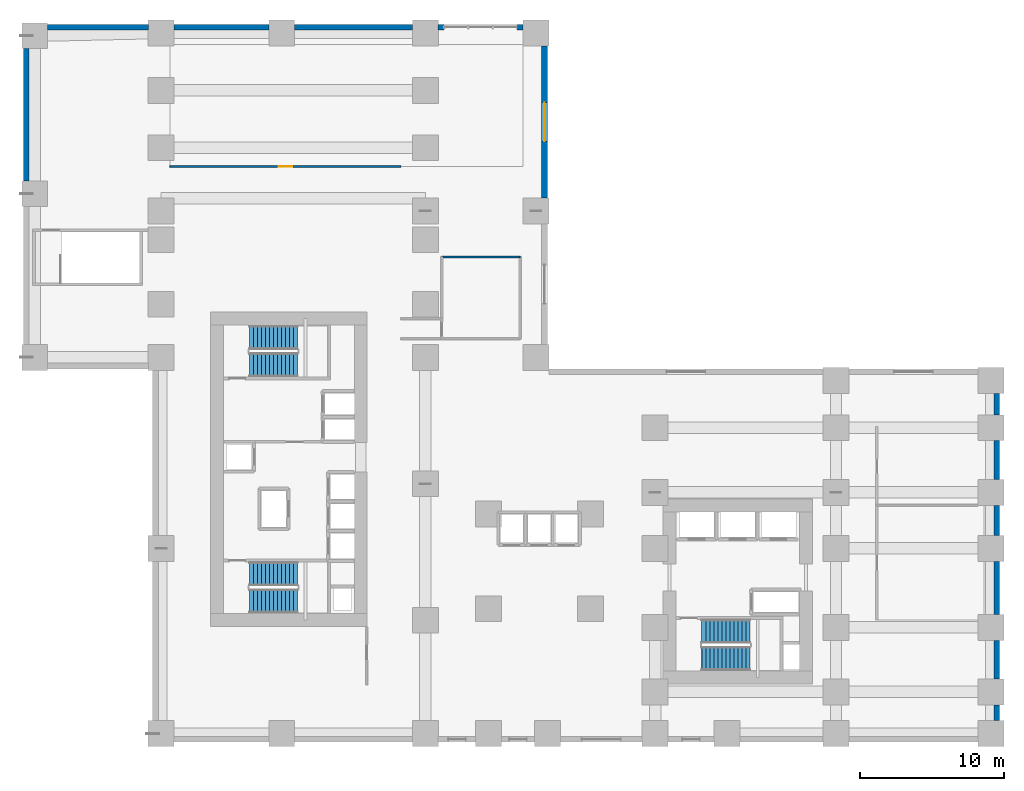
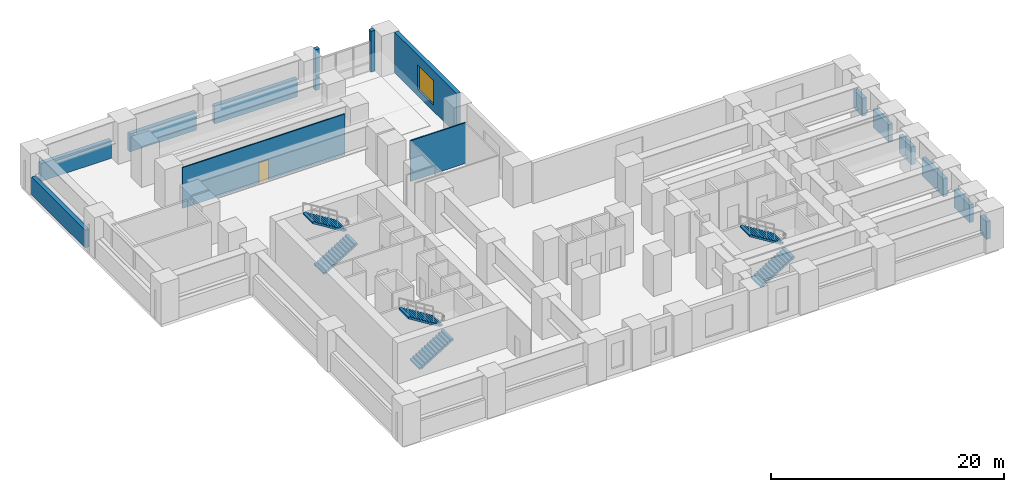
# One storey, part 9 of 12: 15 walls, 6 stair flights, 1 door, 1 window, 2 openings, 3 elements without a shape of their own.
"""IFC4 building model written with IfcOpenShell, lengths in metres."""

from ifc_helpers import new_model, si_unit, direction, frame, frame_2d, origin, place, context, subcontext, project, spatial, polyline, rectangle, outline, extrude, source, transform, mapped, material, layer, layer_set, type_object, element, fill, aggregate, save


model = new_model("IFC4")

# Units and contexts
model_context = context("Model", 3, precision=1e-05, world=origin(), true_north=direction((0.0, 1.0)))
body_context = subcontext(model_context, "Body", "Model", "MODEL_VIEW")
ifc_project = project(units=[si_unit("LENGTHUNIT", "METRE"), si_unit("AREAUNIT", "SQUARE_METRE"), si_unit("VOLUMEUNIT", "CUBIC_METRE"), si_unit("PLANEANGLEUNIT", "RADIAN"), si_unit("MASSUNIT", "GRAM", prefix="KILO")], contexts=[model_context])

# Site, building, storey
site_placement = place(None, origin())
site = spatial("IfcSite", under=ifc_project, at=site_placement, CompositionType="ELEMENT")
building_placement = place(site_placement, origin())
building = spatial("IfcBuilding", under=site, at=building_placement, Name="Kharzan Plaza Tower", CompositionType="ELEMENT")
storey_placement = place(building_placement, frame((0.0, 0.0, 18.0)))
storey = spatial("IfcBuildingStorey", under=building, at=storey_placement, Name="L04", CompositionType="ELEMENT", Elevation=18.0)

# Wall, opening, door
ifc_material_1 = material(Name="Fire-Rated Gypsum Board Partition", Category="gypsum")
ifc_layer_1 = layer(ifc_material_1, 0.125)
ifc_layer_set_1 = layer_set([ifc_layer_1], Name="Fire-Rated Gypsum Board Partition")
wall_type_1 = type_object("IfcWallType", Name="WL-INT-PART-125", PredefinedType="PARTITIONING", material=ifc_layer_set_1)
wall_1_placement = place(storey_placement, frame((1.199951171875, 40.10009765625, 0.0), z_axis=(0.0, 0.0, 1.0), x_axis=(1.0, 0.0, 0.0)))
wall_1 = element("IfcWall", 1, at=wall_1_placement, inside=storey, type_object=wall_type_1, Name="L04 Interior Partition L04-W1", PredefinedType="PARTITIONING", context=body_context, shape_type="SweptSolid", body=[
    extrude(rectangle(XDim=16.10009765625, YDim=0.125, at=frame_2d((8.050048828125, 0.0))), origin(), (0.0, 0.0, 1.0), 4.264892578125),
])
opening_1_placement = place(wall_1_placement, frame((7.574951171875, 0.0, 0.0)))
opening_1 = element("IfcOpeningElement", 2, at=opening_1_placement, cuts=wall_1, Name="Opening OD1", PredefinedType="OPENING", context=body_context, shape_type="SweptSolid", body=[
    extrude(rectangle(XDim=0.949951171875, YDim=2.14990234375, at=frame_2d((0.47509765625, 1.074951171875))), frame((0.0, 0.072509765625, 0.0), z_axis=(0.0, -1.0, 0.0), x_axis=(1.0, 0.0, 0.0)), (0.0, 0.0, 1.0), 0.14501953125),
])
ifc_material_2 = material(Name="Acoustic Solid-Core Stained Oak", Category="timber")
door_type = type_object("IfcDoorType", Name="DR-OFF-SINGLE", OperationType="NOTDEFINED", PredefinedType="DOOR", material=ifc_material_2)
shared_shape_1 = source(origin(), body_context, "Body", "SweptSolid", [
    extrude(rectangle(XDim=0.949951171875, YDim=2.14990234375, at=frame_2d((0.47509765625, 1.074951171875))), frame((0.0, 0.02490234375, 0.0), z_axis=(0.0, -1.0, 0.0), x_axis=(1.0, 0.0, 0.0)), (0.0, 0.0, 1.0), 0.050048828125),
])
door_placement = place(opening_1_placement, origin())
door = element("IfcDoor", 3, at=door_placement, inside=storey, type_object=door_type, Name="L04 Staff Dining Hall Door", OperationType="SINGLE_SWING_LEFT", OverallHeight=2.14990234375, OverallWidth=0.949951171875, PredefinedType="DOOR", context=body_context, shape_type="MappedRepresentation", body=[
    mapped(shared_shape_1, transform((0.0, 0.0, 0.0), x_axis=(1.0, 0.0, 0.0), y_axis=(0.0, 1.0, 0.0), z_axis=(0.0, 0.0, 1.0))),
])
fill(opening_1, door)

# Wall, opening, window
ifc_material_3 = material(Name="Concrete C40/50", Category="concrete")
ifc_layer_2 = layer(ifc_material_3, 0.39990234375)
ifc_layer_set_2 = layer_set([ifc_layer_2], Name="Concrete C40/50")
wall_type_2 = type_object("IfcWallType", Name="WL-POD-MAS-400", PredefinedType="SOLIDWALL", material=ifc_layer_set_2)
wall_2_placement = place(storey_placement, frame((27.300048828125, 37.89794921875, 0.0), z_axis=(0.0, 0.0, 1.0), x_axis=(0.0, 1.0, 0.0)))
wall_2 = element("IfcWall", 4, at=wall_2_placement, inside=storey, type_object=wall_type_2, Name="L04 Masonry-Frame Exterior Wall 04", PredefinedType="SOLIDWALL", context=body_context, shape_type="SweptSolid", body=[
    extrude(rectangle(XDim=10.60400390625, YDim=0.39990234375, at=frame_2d((5.302001953125, 0.0))), origin(), (0.0, 0.0, 1.0), 4.264892578125),
])
opening_2_placement = place(wall_2_placement, frame((3.951904296875, 0.0, 0.64990234375)))
opening_2 = element("IfcOpeningElement", 5, at=opening_2_placement, cuts=wall_2, Name="Opening W4", PredefinedType="OPENING", context=body_context, shape_type="SweptSolid", body=[
    extrude(rectangle(XDim=2.699951171875, YDim=2.60009765625, at=frame_2d((1.35009765625, 1.300048828125))), frame((0.0, 0.2099609375, 0.0), z_axis=(0.0, -1.0, 0.0), x_axis=(1.0, 0.0, 0.0)), (0.0, 0.0, 1.0), 0.419921875),
])
ifc_material_4 = material(Name="Low-E Double Glazing", Category="glass")
window_type = type_object("IfcWindowType", Name="WN-POD-2700x2600", PartitioningType="SINGLE_PANEL", PredefinedType="WINDOW", material=ifc_material_4)
shared_shape_2 = source(origin(), body_context, "Body", "SweptSolid", [
    extrude(rectangle(XDim=2.699951171875, YDim=2.60009765625, at=frame_2d((1.35009765625, 1.300048828125))), frame((0.0, 0.030029296875, 0.0), z_axis=(0.0, -1.0, 0.0), x_axis=(1.0, 0.0, 0.0)), (0.0, 0.0, 1.0), 0.06005859375),
])
window_placement = place(opening_2_placement, origin())
window = element("IfcWindow", 6, at=window_placement, inside=storey, type_object=window_type, Name="L04 Recessed Solar-Control Window 04-1", OverallHeight=2.60009765625, OverallWidth=2.699951171875, PartitioningType="SINGLE_PANEL", PredefinedType="WINDOW", context=body_context, shape_type="MappedRepresentation", body=[
    mapped(shared_shape_2, transform((0.0, 0.0, 0.0), x_axis=(1.0, 0.0, 0.0), y_axis=(0.0, 1.0, 0.0), z_axis=(0.0, 0.0, 1.0))),
])
fill(opening_2, window)

# Walls
shared_shape_3 = source(origin(), body_context, "Body", "SweptSolid", [
    extrude(rectangle(XDim=0.402099609375, YDim=0.39990234375, at=frame_2d((0.201171875, 0.0))), origin(), (0.0, 0.0, 1.0), 4.264892578125),
])
for number, where, z_axis, x_axis, name in (
    (7, (25.802001953125, 49.800048828125, 0.0), (0.0, 0.0, 1.0), (-1.0, 0.0, 0.0), "L04 Masonry-Frame Exterior Wall 05"),
    (8, (20.300048828125, 49.800048828125, 0.0), (0.0, 0.0, 1.0), (-1.0, 0.0, 0.0), "L04 Masonry-Frame Exterior Wall 06"),
):
    element("IfcWall", number, at=place(storey_placement, frame(where, z_axis=z_axis, x_axis=x_axis)), inside=storey, type_object=wall_type_2, Name=name, PredefinedType="SOLIDWALL", context=body_context, shape_type="MappedRepresentation", body=[
        mapped(shared_shape_3, transform((0.0, 0.0, 0.0), x_axis=(1.0, 0.0, 0.0), y_axis=(0.0, 1.0, 0.0), z_axis=(0.0, 0.0, 1.0))),
    ])
shared_shape_4 = source(origin(), body_context, "Body", "SweptSolid", [
    extrude(rectangle(XDim=8.2041015625, YDim=0.39990234375, at=frame_2d((4.10205078125, 0.0))), origin(), (0.0, 0.0, 1.0), 1.864990234375),
])
wall_3_placement = place(storey_placement, frame((18.10205078125, 49.800048828125, 0.0), z_axis=(0.0, 0.0, 1.0), x_axis=(-1.0, 0.0, 0.0)))
element("IfcWall", 9, at=wall_3_placement, inside=storey, type_object=wall_type_2, Name="L04 Masonry-Frame Exterior Wall 07", PredefinedType="SOLIDWALL", context=body_context, shape_type="MappedRepresentation", body=[
    mapped(shared_shape_4, transform((0.0, 0.0, 0.0), x_axis=(1.0, 0.0, 0.0), y_axis=(0.0, 1.0, 0.0), z_axis=(0.0, 0.0, 1.0))),
])
shared_shape_5 = source(origin(), body_context, "Body", "SweptSolid", [
    extrude(rectangle(XDim=6.60400390625, YDim=0.39990234375, at=frame_2d((3.302001953125, 0.0))), origin(), (0.0, 0.0, 1.0), 1.864990234375),
])
wall_4_placement = place(storey_placement, frame((8.10205078125, 49.800048828125, 0.0), z_axis=(0.0, 0.0, 1.0), x_axis=(-1.0, 0.0, 0.0)))
element("IfcWall", 10, at=wall_4_placement, inside=storey, type_object=wall_type_2, Name="L04 Masonry-Frame Exterior Wall 08", PredefinedType="SOLIDWALL", context=body_context, shape_type="MappedRepresentation", body=[
    mapped(shared_shape_5, transform((0.0, 0.0, 0.0), x_axis=(1.0, 0.0, 0.0), y_axis=(0.0, 1.0, 0.0), z_axis=(0.0, 0.0, 1.0))),
])
shared_shape_6 = source(origin(), body_context, "Body", "SweptSolid", [
    extrude(rectangle(XDim=7.00390625, YDim=0.39990234375, at=frame_2d((3.501953125, 0.0))), origin(), (0.0, 0.0, 1.0), 1.864990234375),
])
wall_5_placement = place(storey_placement, frame((-0.298095703125, 49.800048828125, 0.0), z_axis=(0.0, 0.0, 1.0), x_axis=(-1.0, 0.0, 0.0)))
element("IfcWall", 11, at=wall_5_placement, inside=storey, type_object=wall_type_2, Name="L04 Masonry-Frame Exterior Wall 09", PredefinedType="SOLIDWALL", context=body_context, shape_type="MappedRepresentation", body=[
    mapped(shared_shape_6, transform((0.0, 0.0, 0.0), x_axis=(1.0, 0.0, 0.0), y_axis=(0.0, 1.0, 0.0), z_axis=(0.0, 0.0, 1.0))),
])
shared_shape_7 = source(origin(), body_context, "Body", "SweptSolid", [
    extrude(rectangle(XDim=9.2041015625, YDim=0.39990234375, at=frame_2d((4.60205078125, 0.0))), origin(), (0.0, 0.0, 1.0), 1.864990234375),
])
wall_6_placement = place(storey_placement, frame((-8.800048828125, 48.302001953125, 0.0), z_axis=(0.0, 0.0, 1.0), x_axis=(0.0, -1.0, 0.0)))
element("IfcWall", 12, at=wall_6_placement, inside=storey, type_object=wall_type_2, Name="L04 Masonry-Frame Exterior Wall 10", PredefinedType="SOLIDWALL", context=body_context, shape_type="MappedRepresentation", body=[
    mapped(shared_shape_7, transform((0.0, 0.0, 0.0), x_axis=(1.0, 0.0, 0.0), y_axis=(0.0, 1.0, 0.0), z_axis=(0.0, 0.0, 1.0))),
])
shared_shape_8 = source(origin(), body_context, "Body", "SweptSolid", [
    extrude(rectangle(XDim=1.10400390625, YDim=0.39990234375, at=frame_2d((0.552001953125, 0.0))), origin(), (0.0, 0.0, 1.0), 1.864990234375),
])
wall_7_placement = place(storey_placement, frame((58.800048828125, 1.498046875, 0.0), z_axis=(0.0, 0.0, 1.0), x_axis=(0.0, 1.0, 0.0)))
element("IfcWall", 13, at=wall_7_placement, inside=storey, type_object=wall_type_2, Name="L04 Masonry-Frame Exterior Wall 23", PredefinedType="SOLIDWALL", context=body_context, shape_type="MappedRepresentation", body=[
    mapped(shared_shape_8, transform((0.0, 0.0, 0.0), x_axis=(1.0, 0.0, 0.0), y_axis=(0.0, 1.0, 0.0), z_axis=(0.0, 0.0, 1.0))),
])
shared_shape_9 = source(origin(), body_context, "Body", "SweptSolid", [
    extrude(rectangle(XDim=2.7041015625, YDim=0.39990234375, at=frame_2d((1.35205078125, 0.0))), origin(), (0.0, 0.0, 1.0), 1.864990234375),
])
wall_8_placement = place(storey_placement, frame((58.800048828125, 4.39794921875, 0.0), z_axis=(0.0, 0.0, 1.0), x_axis=(0.0, 1.0, 0.0)))
element("IfcWall", 14, at=wall_8_placement, inside=storey, type_object=wall_type_2, Name="L04 Masonry-Frame Exterior Wall 24", PredefinedType="SOLIDWALL", context=body_context, shape_type="MappedRepresentation", body=[
    mapped(shared_shape_9, transform((0.0, 0.0, 0.0), x_axis=(1.0, 0.0, 0.0), y_axis=(0.0, 1.0, 0.0), z_axis=(0.0, 0.0, 1.0))),
])
shared_shape_10 = source(origin(), body_context, "Body", "SweptSolid", [
    extrude(rectangle(XDim=3.7041015625, YDim=0.39990234375, at=frame_2d((1.85205078125, 0.0))), origin(), (0.0, 0.0, 1.0), 1.864990234375),
])
wall_9_placement = place(storey_placement, frame((58.800048828125, 8.89794921875, 0.0), z_axis=(0.0, 0.0, 1.0), x_axis=(0.0, 1.0, 0.0)))
element("IfcWall", 15, at=wall_9_placement, inside=storey, type_object=wall_type_2, Name="L04 Masonry-Frame Exterior Wall 25", PredefinedType="SOLIDWALL", context=body_context, shape_type="MappedRepresentation", body=[
    mapped(shared_shape_10, transform((0.0, 0.0, 0.0), x_axis=(1.0, 0.0, 0.0), y_axis=(0.0, 1.0, 0.0), z_axis=(0.0, 0.0, 1.0))),
])
shared_shape_11 = source(origin(), body_context, "Body", "SweptSolid", [
    extrude(rectangle(XDim=2.10400390625, YDim=0.39990234375, at=frame_2d((1.052001953125, 0.0))), origin(), (0.0, 0.0, 1.0), 1.864990234375),
])
wall_10_placement = place(storey_placement, frame((58.800048828125, 14.39794921875, 0.0), z_axis=(0.0, 0.0, 1.0), x_axis=(0.0, 1.0, 0.0)))
element("IfcWall", 16, at=wall_10_placement, inside=storey, type_object=wall_type_2, Name="L04 Masonry-Frame Exterior Wall 26", PredefinedType="SOLIDWALL", context=body_context, shape_type="MappedRepresentation", body=[
    mapped(shared_shape_11, transform((0.0, 0.0, 0.0), x_axis=(1.0, 0.0, 0.0), y_axis=(0.0, 1.0, 0.0), z_axis=(0.0, 0.0, 1.0))),
])
shared_shape_12 = source(origin(), body_context, "Body", "SweptSolid", [
    extrude(rectangle(XDim=2.703857421875, YDim=0.39990234375, at=frame_2d((1.35205078125, 0.0))), origin(), (0.0, 0.0, 1.0), 1.864990234375),
])
wall_11_placement = place(storey_placement, frame((58.800048828125, 18.298095703125, 0.0), z_axis=(0.0, 0.0, 1.0), x_axis=(0.0, 1.0, 0.0)))
element("IfcWall", 17, at=wall_11_placement, inside=storey, type_object=wall_type_2, Name="L04 Masonry-Frame Exterior Wall 27", PredefinedType="SOLIDWALL", context=body_context, shape_type="MappedRepresentation", body=[
    mapped(shared_shape_12, transform((0.0, 0.0, 0.0), x_axis=(1.0, 0.0, 0.0), y_axis=(0.0, 1.0, 0.0), z_axis=(0.0, 0.0, 1.0))),
])
shared_shape_13 = source(origin(), body_context, "Body", "SweptSolid", [
    extrude(rectangle(XDim=1.50390625, YDim=0.39990234375, at=frame_2d((0.751953125, 0.0))), origin(), (0.0, 0.0, 1.0), 1.864990234375),
])
wall_12_placement = place(storey_placement, frame((58.800048828125, 22.798095703125, 0.0), z_axis=(0.0, 0.0, 1.0), x_axis=(0.0, 1.0, 0.0)))
element("IfcWall", 18, at=wall_12_placement, inside=storey, type_object=wall_type_2, Name="L04 Masonry-Frame Exterior Wall 28", PredefinedType="SOLIDWALL", context=body_context, shape_type="MappedRepresentation", body=[
    mapped(shared_shape_13, transform((0.0, 0.0, 0.0), x_axis=(1.0, 0.0, 0.0), y_axis=(0.0, 1.0, 0.0), z_axis=(0.0, 0.0, 1.0))),
])
shared_shape_14 = source(origin(), body_context, "Body", "SweptSolid", [
    extrude(rectangle(XDim=5.4501953125, YDim=0.125, at=frame_2d((2.72509765625, 0.0))), origin(), (0.0, 0.0, 1.0), 4.264892578125),
])
wall_13_placement = place(storey_placement, frame((20.14990234375, 33.800048828125, 0.0), z_axis=(0.0, 0.0, 1.0), x_axis=(1.0, 0.0, 0.0)))
element("IfcWall", 19, at=wall_13_placement, inside=storey, type_object=wall_type_1, Name="L04 Interior Partition L04-WCPN2", PredefinedType="PARTITIONING", context=body_context, shape_type="MappedRepresentation", body=[
    mapped(shared_shape_14, transform((0.0, 0.0, 0.0), x_axis=(1.0, 0.0, 0.0), y_axis=(0.0, 1.0, 0.0), z_axis=(0.0, 0.0, 1.0))),
])

# Stair, stair flights
stair_type_1 = type_object("IfcStairType", Name="STR-ST-1", PredefinedType="HALF_TURN_STAIR", material=ifc_material_3)
stair_1_placement = place(storey_placement, origin())
stair_1 = element("IfcStair", 20, at=stair_1_placement, inside=storey, type_object=stair_type_1, Name="L04 Protected Exit Stair ST-1", PredefinedType="HALF_TURN_STAIR")
stair_flight_type = type_object("IfcStairFlightType", Name="SFL-1650-R173", PredefinedType="STRAIGHT", material=ifc_material_3)
shared_shape_15 = source(origin(), body_context, "Body", "SweptSolid", [
    extrude(outline(polyline([(-0.0029296875, -0.011962890625), (-0.0029296875, 0.0), (0.0, 0.0), (0.0, 0.173095703125), (0.280029296875, 0.173095703125), (0.280029296875, 0.34619140625), (0.56005859375, 0.34619140625), (0.56005859375, 0.519287109375), (0.840087890625, 0.519287109375), (0.840087890625, 0.6923828125), (1.1201171875, 0.6923828125), (1.1201171875, 0.865478515625), (1.400146484375, 0.865478515625), (1.400146484375, 1.03857421875), (1.68017578125, 1.03857421875), (1.68017578125, 1.211669921875), (1.960205078125, 1.211669921875), (1.960205078125, 1.384765625), (2.240234375, 1.384765625), (2.240234375, 1.557861328125), (2.520263671875, 1.557861328125), (2.520263671875, 1.73095703125), (2.80029296875, 1.73095703125), (2.80029296875, 1.904052734375), (3.080322265625, 1.904052734375), (3.080322265625, 2.0771484375), (3.3603515625, 2.0771484375), (3.3603515625, 2.250244140625), (3.3603515625, 1.90087890625), (0.28515625, 0.0), (0.28515625, -0.011962890625), (-0.0029296875, -0.011962890625)])), frame((0.0, 0.824951171875, 0.0), z_axis=(0.0, -1.0, 0.0), x_axis=(1.0, 0.0, 0.0)), (0.0, 0.0, 1.0), 1.64990234375),
])
stair_flight_1_placement = place(storey_placement, frame((6.75, 9.824951171875, 0.0), z_axis=(0.0, 0.0, 1.0), x_axis=(1.0, 0.0, 0.0)))
stair_flight_1 = element("IfcStairFlight", 21, at=stair_flight_1_placement, type_object=stair_flight_type, Name="ST-1 flight 1", NumberOfRisers=13, NumberOfTreads=12, PredefinedType="STRAIGHT", RiserHeight=0.173076923, TreadLength=0.28, context=body_context, shape_type="MappedRepresentation", body=[
    mapped(shared_shape_15, transform((0.0, 0.0, 0.0), x_axis=(1.0, 0.0, 0.0), y_axis=(0.0, 1.0, 0.0), z_axis=(0.0, 0.0, 1.0))),
])
stair_flight_2_placement = place(storey_placement, frame((10.110107421875, 11.72509765625, 2.25), z_axis=(0.0, 0.0, 1.0), x_axis=(-1.0, 0.0, 0.0)))
stair_flight_2 = element("IfcStairFlight", 22, at=stair_flight_2_placement, type_object=stair_flight_type, Name="ST-1 flight 2", NumberOfRisers=13, NumberOfTreads=12, PredefinedType="STRAIGHT", RiserHeight=0.173076923, TreadLength=0.28, context=body_context, shape_type="MappedRepresentation", body=[
    mapped(shared_shape_15, transform((0.0, 0.0, 0.0), x_axis=(1.0, 0.0, 0.0), y_axis=(0.0, 1.0, 0.0), z_axis=(0.0, 0.0, 1.0))),
])
aggregate(stair_1, [stair_flight_1, stair_flight_2])

stair_type_2 = type_object("IfcStairType", Name="STR-ST-2", PredefinedType="HALF_TURN_STAIR", material=ifc_material_3)
stair_2_placement = place(storey_placement, origin())
stair_2 = element("IfcStair", 23, at=stair_2_placement, inside=storey, type_object=stair_type_2, Name="L04 Protected Exit Stair ST-2", PredefinedType="HALF_TURN_STAIR")
stair_flight_3_placement = place(storey_placement, frame((6.75, 26.27490234375, 0.0), z_axis=(0.0, 0.0, 1.0), x_axis=(1.0, 0.0, 0.0)))
stair_flight_3 = element("IfcStairFlight", 24, at=stair_flight_3_placement, type_object=stair_flight_type, Name="ST-2 flight 1", NumberOfRisers=13, NumberOfTreads=12, PredefinedType="STRAIGHT", RiserHeight=0.173076923, TreadLength=0.28, context=body_context, shape_type="MappedRepresentation", body=[
    mapped(shared_shape_15, transform((0.0, 0.0, 0.0), x_axis=(1.0, 0.0, 0.0), y_axis=(0.0, 1.0, 0.0), z_axis=(0.0, 0.0, 1.0))),
])
stair_flight_4_placement = place(storey_placement, frame((10.110107421875, 28.175048828125, 2.25), z_axis=(0.0, 0.0, 1.0), x_axis=(-1.0, 0.0, 0.0)))
stair_flight_4 = element("IfcStairFlight", 25, at=stair_flight_4_placement, type_object=stair_flight_type, Name="ST-2 flight 2", NumberOfRisers=13, NumberOfTreads=12, PredefinedType="STRAIGHT", RiserHeight=0.173076923, TreadLength=0.28, context=body_context, shape_type="MappedRepresentation", body=[
    mapped(shared_shape_15, transform((0.0, 0.0, 0.0), x_axis=(1.0, 0.0, 0.0), y_axis=(0.0, 1.0, 0.0), z_axis=(0.0, 0.0, 1.0))),
])
aggregate(stair_2, [stair_flight_3, stair_flight_4])

stair_type_3 = type_object("IfcStairType", Name="STR-ST-3", PredefinedType="HALF_TURN_STAIR", material=ifc_material_3)
stair_3_placement = place(storey_placement, origin())
stair_3 = element("IfcStair", 26, at=stair_3_placement, inside=storey, type_object=stair_type_3, Name="L04 Protected Exit Stair ST-3", PredefinedType="HALF_TURN_STAIR")
stair_flight_5_placement = place(storey_placement, frame((38.25, 5.824951171875, 0.0), z_axis=(0.0, 0.0, 1.0), x_axis=(1.0, 0.0, 0.0)))
stair_flight_5 = element("IfcStairFlight", 27, at=stair_flight_5_placement, type_object=stair_flight_type, Name="ST-3 flight 1", NumberOfRisers=13, NumberOfTreads=12, PredefinedType="STRAIGHT", RiserHeight=0.173076923, TreadLength=0.28, context=body_context, shape_type="MappedRepresentation", body=[
    mapped(shared_shape_15, transform((0.0, 0.0, 0.0), x_axis=(1.0, 0.0, 0.0), y_axis=(0.0, 1.0, 0.0), z_axis=(0.0, 0.0, 1.0))),
])
stair_flight_6_placement = place(storey_placement, frame((41.610107421875, 7.72509765625, 2.25), z_axis=(0.0, 0.0, 1.0), x_axis=(-1.0, 0.0, 0.0)))
stair_flight_6 = element("IfcStairFlight", 28, at=stair_flight_6_placement, type_object=stair_flight_type, Name="ST-3 flight 2", NumberOfRisers=13, NumberOfTreads=12, PredefinedType="STRAIGHT", RiserHeight=0.173076923, TreadLength=0.28, context=body_context, shape_type="MappedRepresentation", body=[
    mapped(shared_shape_15, transform((0.0, 0.0, 0.0), x_axis=(1.0, 0.0, 0.0), y_axis=(0.0, 1.0, 0.0), z_axis=(0.0, 0.0, 1.0))),
])
aggregate(stair_3, [stair_flight_5, stair_flight_6])

save(model, "model.ifc")
